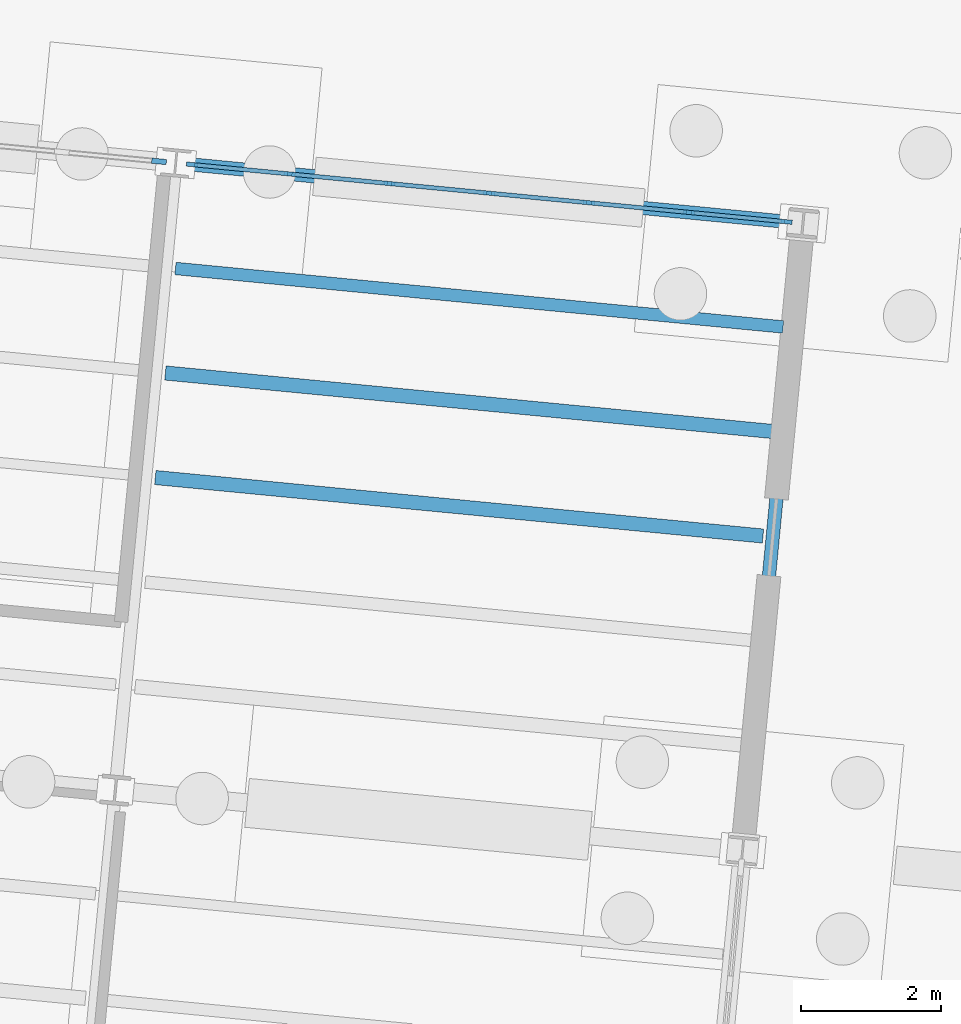
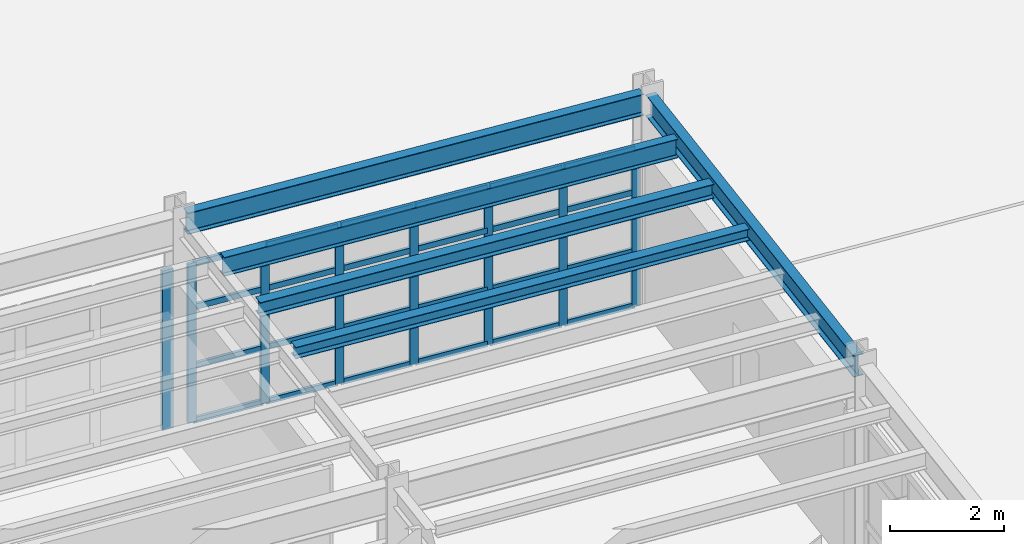
# One storey, part 51 of 108: 32 members, 5 beams, 2 elements without a shape of their own.
"""IFC4 building model written with IfcOpenShell, lengths in metres."""

from ifc_helpers import new_model, si_unit, direction, frame, origin, origin_2d, place, context, subcontext, project, spatial, rectangle, i_section, extrude, material, layer, layer_set, material_profile, profile_set, type_object, element, aggregate, save


model = new_model("IFC4")

# Units and contexts
model_context = context("Model", 3, precision=1e-05, world=origin(), true_north=direction((0.0, 1.0)))
body_context = subcontext(model_context, "Body", "Model", "MODEL_VIEW")
ifc_project = project(units=[si_unit("LENGTHUNIT", "METRE"), si_unit("AREAUNIT", "SQUARE_METRE"), si_unit("VOLUMEUNIT", "CUBIC_METRE"), si_unit("PLANEANGLEUNIT", "RADIAN"), si_unit("MASSUNIT", "GRAM", prefix="KILO")], contexts=[model_context])

# Site, building, storey
site_placement = place(None, origin())
site = spatial("IfcSite", under=ifc_project, at=site_placement, CompositionType="ELEMENT")
building_placement = place(site_placement, origin())
building = spatial("IfcBuilding", under=site, at=building_placement, Name="Vireo Bluff Cable Station", CompositionType="ELEMENT")
storey_placement = place(building_placement, origin())
storey = spatial("IfcBuildingStorey", under=building, at=storey_placement, Name="L00", CompositionType="ELEMENT", Elevation=0.0)

# Curtain wall, member
ifc_material_1 = material(Name="Anodized Aluminium 6063-T6", Category="aluminium")
ifc_layer_1 = layer(ifc_material_1, 0.179931640625, Name="Anodized Aluminium 6063-T6")
ifc_layer_set_1 = layer_set([ifc_layer_1], Name="Anodized Aluminium 6063-T6")
curtain_wall_type_1 = type_object("IfcCurtainWallType", Name="CW-UNIT-1400", PredefinedType="USERDEFINED", material=ifc_layer_set_1)
curtain_wall_1_placement = place(storey_placement, origin())
curtain_wall_1 = element("IfcCurtainWall", 1, at=curtain_wall_1_placement, inside=storey, type_object=curtain_wall_type_1, Name="V3 L00 north curtain wall CW-069", ObjectType="UNITISED CURTAIN WALL", PredefinedType="USERDEFINED")
ifc_material_profile_1 = material_profile(ifc_material_1, rectangle(XDim=0.074951171875, YDim=0.2099609375, at=origin_2d()), Name="ALU-M-75X210")
ifc_profile_set_1 = profile_set([ifc_material_profile_1], Name="Anodized Aluminium 6063-T6")
member_type_1 = type_object("IfcMemberType", Name="CWM-02", PredefinedType="MULLION", material=ifc_profile_set_1)
member_1_placement = place(storey_placement, frame((87.1416015625, 83.21875, 0.0), z_axis=(0.0, 0.0, 1.0), x_axis=(0.095845678199, 0.995396205524, 0.0)))
member_1 = element("IfcMember", 2, at=member_1_placement, type_object=member_type_1, Name="CW-069 mullion 7", PredefinedType="MULLION", context=body_context, shape_type="SweptSolid", body=[
    extrude(rectangle(XDim=0.074951171875, YDim=0.2099609375, at=origin_2d()), origin(), (0.0, 0.0, 1.0), 3.39990234375),
])
aggregate(curtain_wall_1, [member_1])

# Curtain wall, members
ifc_layer_2 = layer(ifc_material_1, 0.179931640625, Name="Anodized Aluminium 6063-T6")
ifc_layer_set_2 = layer_set([ifc_layer_2], Name="Anodized Aluminium 6063-T6")
curtain_wall_type_2 = type_object("IfcCurtainWallType", Name="CW-UNIT-1500", PredefinedType="USERDEFINED", material=ifc_layer_set_2)
curtain_wall_2_placement = place(storey_placement, origin())
curtain_wall_2 = element("IfcCurtainWall", 3, at=curtain_wall_2_placement, inside=storey, type_object=curtain_wall_type_2, Name="V3 L00 north curtain wall CW-070", ObjectType="UNITISED CURTAIN WALL", PredefinedType="USERDEFINED")
ifc_material_profile_2 = material_profile(ifc_material_1, rectangle(XDim=0.06005859375, YDim=0.159912109375, at=origin_2d()), Name="ALU-M-60X160")
ifc_profile_set_2 = profile_set([ifc_material_profile_2], Name="Anodized Aluminium 6063-T6")
member_type_2 = type_object("IfcMemberType", Name="CWM-03", PredefinedType="MULLION", material=ifc_profile_set_2)
member_2_placement = place(storey_placement, frame((87.61181640625, 83.173583984375, 0.0), z_axis=(0.0, 0.0, 1.0), x_axis=(0.095845678199, 0.995396205524, 0.0)))
member_2 = element("IfcMember", 4, at=member_2_placement, type_object=member_type_2, Name="CW-070 mullion 1", PredefinedType="MULLION", context=body_context, shape_type="SweptSolid", body=[
    extrude(rectangle(XDim=0.06005859375, YDim=0.159912109375, at=origin_2d()), origin(), (0.0, 0.0, 1.0), 3.39990234375),
])
member_3_placement = place(storey_placement, frame((89.007568359375, 83.0390625, 0.0), z_axis=(0.0, 0.0, 1.0), x_axis=(0.095845678199, 0.995396205524, 0.0)))
member_3 = element("IfcMember", 5, at=member_3_placement, type_object=member_type_2, Name="CW-070 mullion 2", PredefinedType="MULLION", context=body_context, shape_type="SweptSolid", body=[
    extrude(rectangle(XDim=0.06005859375, YDim=0.159912109375, at=origin_2d()), origin(), (0.0, 0.0, 1.0), 3.39990234375),
])
member_4_placement = place(storey_placement, frame((90.43310546875, 82.90185546875, 0.0), z_axis=(0.0, 0.0, 1.0), x_axis=(0.095845678199, 0.995396205524, 0.0)))
member_4 = element("IfcMember", 6, at=member_4_placement, type_object=member_type_2, Name="CW-070 mullion 3", PredefinedType="MULLION", context=body_context, shape_type="SweptSolid", body=[
    extrude(rectangle(XDim=0.06005859375, YDim=0.159912109375, at=origin_2d()), origin(), (0.0, 0.0, 1.0), 3.39990234375),
])
member_5_placement = place(storey_placement, frame((91.8583984375, 82.7646484375, 0.0), z_axis=(0.0, 0.0, 1.0), x_axis=(0.095845678199, 0.995396205524, 0.0)))
member_5 = element("IfcMember", 7, at=member_5_placement, type_object=member_type_2, Name="CW-070 mullion 4", PredefinedType="MULLION", context=body_context, shape_type="SweptSolid", body=[
    extrude(rectangle(XDim=0.06005859375, YDim=0.159912109375, at=origin_2d()), origin(), (0.0, 0.0, 1.0), 3.39990234375),
])
member_6_placement = place(storey_placement, frame((93.283935546875, 82.62744140625, 0.0), z_axis=(0.0, 0.0, 1.0), x_axis=(0.095845678199, 0.995396205524, 0.0)))
member_6 = element("IfcMember", 8, at=member_6_placement, type_object=member_type_2, Name="CW-070 mullion 5", PredefinedType="MULLION", context=body_context, shape_type="SweptSolid", body=[
    extrude(rectangle(XDim=0.06005859375, YDim=0.159912109375, at=origin_2d()), origin(), (0.0, 0.0, 1.0), 3.39990234375),
])
member_7_placement = place(storey_placement, frame((94.70947265625, 82.489990234375, 0.0), z_axis=(0.0, 0.0, 1.0), x_axis=(0.095845678199, 0.995396205524, 0.0)))
member_7 = element("IfcMember", 9, at=member_7_placement, type_object=member_type_2, Name="CW-070 mullion 6", PredefinedType="MULLION", context=body_context, shape_type="SweptSolid", body=[
    extrude(rectangle(XDim=0.06005859375, YDim=0.159912109375, at=origin_2d()), origin(), (0.0, 0.0, 1.0), 3.39990234375),
])
member_8_placement = place(storey_placement, frame((96.10498046875, 82.355712890625, 0.0), z_axis=(0.0, 0.0, 1.0), x_axis=(0.095845678199, 0.995396205524, 0.0)))
member_8 = element("IfcMember", 10, at=member_8_placement, type_object=member_type_2, Name="CW-070 mullion 7", PredefinedType="MULLION", context=body_context, shape_type="SweptSolid", body=[
    extrude(rectangle(XDim=0.06005859375, YDim=0.159912109375, at=origin_2d()), origin(), (0.0, 0.0, 1.0), 3.39990234375),
])
ifc_material_profile_3 = material_profile(ifc_material_1, rectangle(XDim=0.06005859375, YDim=0.1201171875, at=origin_2d()), Name="ALU-T-60X120")
ifc_profile_set_3 = profile_set([ifc_material_profile_3], Name="Anodized Aluminium 6063-T6")
member_type_3 = type_object("IfcMemberType", Name="CWT-03", PredefinedType="USERDEFINED", material=ifc_profile_set_3)
member_9_placement = place(storey_placement, frame((87.641845703125, 83.170654296875, 0.030029296875), z_axis=(0.995392680691, -0.095882277961, 0.0), x_axis=(0.095882277961, 0.995392680691, 0.0)))
member_9 = element("IfcMember", 11, at=member_9_placement, type_object=member_type_3, Name="CW-070 transom 1.1", ObjectType="TRANSOM", PredefinedType="USERDEFINED", context=body_context, shape_type="SweptSolid", body=[
    extrude(rectangle(XDim=0.06005859375, YDim=0.1201171875, at=origin_2d()), origin(), (0.0, 0.0, 1.0), 1.341796875),
])
member_10_placement = place(storey_placement, frame((87.641845703125, 83.170654296875, 1.18994140625), z_axis=(0.995392680691, -0.095882277961, 0.0), x_axis=(0.095882277961, 0.995392680691, 0.0)))
member_10 = element("IfcMember", 12, at=member_10_placement, type_object=member_type_3, Name="CW-070 transom 1.2", ObjectType="TRANSOM", PredefinedType="USERDEFINED", context=body_context, shape_type="SweptSolid", body=[
    extrude(rectangle(XDim=0.06005859375, YDim=0.1201171875, at=origin_2d()), origin(), (0.0, 0.0, 1.0), 1.341796875),
])
member_11_placement = place(storey_placement, frame((87.641845703125, 83.170654296875, 2.447998046875), z_axis=(0.995392680691, -0.095882277961, 0.0), x_axis=(0.095882277961, 0.995392680691, 0.0)))
member_11 = element("IfcMember", 13, at=member_11_placement, type_object=member_type_3, Name="CW-070 transom 1.3", ObjectType="TRANSOM", PredefinedType="USERDEFINED", context=body_context, shape_type="SweptSolid", body=[
    extrude(rectangle(XDim=0.06005859375, YDim=0.1201171875, at=origin_2d()), origin(), (0.0, 0.0, 1.0), 1.341796875),
])
member_12_placement = place(storey_placement, frame((87.641845703125, 83.170654296875, 3.3701171875), z_axis=(0.995392680691, -0.095882277961, 0.0), x_axis=(0.095882277961, 0.995392680691, 0.0)))
member_12 = element("IfcMember", 14, at=member_12_placement, type_object=member_type_3, Name="CW-070 transom 1.4", ObjectType="TRANSOM", PredefinedType="USERDEFINED", context=body_context, shape_type="SweptSolid", body=[
    extrude(rectangle(XDim=0.06005859375, YDim=0.1201171875, at=origin_2d()), origin(), (0.0, 0.0, 1.0), 1.341796875),
])
member_13_placement = place(storey_placement, frame((89.037353515625, 83.0361328125, 0.030029296875), z_axis=(0.99540707277, -0.095732750295, 0.0), x_axis=(0.095732750295, 0.99540707277, 0.0)))
member_13 = element("IfcMember", 15, at=member_13_placement, type_object=member_type_3, Name="CW-070 transom 2.1", ObjectType="TRANSOM", PredefinedType="USERDEFINED", context=body_context, shape_type="SweptSolid", body=[
    extrude(rectangle(XDim=0.06005859375, YDim=0.1201171875, at=origin_2d()), origin(), (0.0, 0.0, 1.0), 1.3720703125),
])
member_14_placement = place(storey_placement, frame((89.037353515625, 83.0361328125, 1.18994140625), z_axis=(0.99540707277, -0.095732750295, 0.0), x_axis=(0.095732750295, 0.99540707277, 0.0)))
member_14 = element("IfcMember", 16, at=member_14_placement, type_object=member_type_3, Name="CW-070 transom 2.2", ObjectType="TRANSOM", PredefinedType="USERDEFINED", context=body_context, shape_type="SweptSolid", body=[
    extrude(rectangle(XDim=0.06005859375, YDim=0.1201171875, at=origin_2d()), origin(), (0.0, 0.0, 1.0), 1.3720703125),
])
member_15_placement = place(storey_placement, frame((89.037353515625, 83.0361328125, 2.447998046875), z_axis=(0.99540707277, -0.095732750295, 0.0), x_axis=(0.095732750295, 0.99540707277, 0.0)))
member_15 = element("IfcMember", 17, at=member_15_placement, type_object=member_type_3, Name="CW-070 transom 2.3", ObjectType="TRANSOM", PredefinedType="USERDEFINED", context=body_context, shape_type="SweptSolid", body=[
    extrude(rectangle(XDim=0.06005859375, YDim=0.1201171875, at=origin_2d()), origin(), (0.0, 0.0, 1.0), 1.3720703125),
])
member_16_placement = place(storey_placement, frame((89.037353515625, 83.0361328125, 3.3701171875), z_axis=(0.99540707277, -0.095732750295, 0.0), x_axis=(0.095732750295, 0.99540707277, 0.0)))
member_16 = element("IfcMember", 18, at=member_16_placement, type_object=member_type_3, Name="CW-070 transom 2.4", ObjectType="TRANSOM", PredefinedType="USERDEFINED", context=body_context, shape_type="SweptSolid", body=[
    extrude(rectangle(XDim=0.06005859375, YDim=0.1201171875, at=origin_2d()), origin(), (0.0, 0.0, 1.0), 1.3720703125),
])
member_17_placement = place(storey_placement, frame((90.462890625, 82.89892578125, 0.030029296875), z_axis=(0.99540707277, -0.095732750295, 0.0), x_axis=(0.095732750295, 0.99540707277, 0.0)))
member_17 = element("IfcMember", 19, at=member_17_placement, type_object=member_type_3, Name="CW-070 transom 3.1", ObjectType="TRANSOM", PredefinedType="USERDEFINED", context=body_context, shape_type="SweptSolid", body=[
    extrude(rectangle(XDim=0.06005859375, YDim=0.1201171875, at=origin_2d()), origin(), (0.0, 0.0, 1.0), 1.3720703125),
])
member_18_placement = place(storey_placement, frame((90.462890625, 82.89892578125, 1.18994140625), z_axis=(0.99540707277, -0.095732750295, 0.0), x_axis=(0.095732750295, 0.99540707277, 0.0)))
member_18 = element("IfcMember", 20, at=member_18_placement, type_object=member_type_3, Name="CW-070 transom 3.2", ObjectType="TRANSOM", PredefinedType="USERDEFINED", context=body_context, shape_type="SweptSolid", body=[
    extrude(rectangle(XDim=0.06005859375, YDim=0.1201171875, at=origin_2d()), origin(), (0.0, 0.0, 1.0), 1.3720703125),
])
member_19_placement = place(storey_placement, frame((90.462890625, 82.89892578125, 2.447998046875), z_axis=(0.99540707277, -0.095732750295, 0.0), x_axis=(0.095732750295, 0.99540707277, 0.0)))
member_19 = element("IfcMember", 21, at=member_19_placement, type_object=member_type_3, Name="CW-070 transom 3.3", ObjectType="TRANSOM", PredefinedType="USERDEFINED", context=body_context, shape_type="SweptSolid", body=[
    extrude(rectangle(XDim=0.06005859375, YDim=0.1201171875, at=origin_2d()), origin(), (0.0, 0.0, 1.0), 1.3720703125),
])
member_20_placement = place(storey_placement, frame((90.462890625, 82.89892578125, 3.3701171875), z_axis=(0.99540707277, -0.095732750295, 0.0), x_axis=(0.095732750295, 0.99540707277, 0.0)))
member_20 = element("IfcMember", 22, at=member_20_placement, type_object=member_type_3, Name="CW-070 transom 3.4", ObjectType="TRANSOM", PredefinedType="USERDEFINED", context=body_context, shape_type="SweptSolid", body=[
    extrude(rectangle(XDim=0.06005859375, YDim=0.1201171875, at=origin_2d()), origin(), (0.0, 0.0, 1.0), 1.3720703125),
])
member_21_placement = place(storey_placement, frame((91.888427734375, 82.76171875, 0.030029296875), z_axis=(0.995390100816, -0.095909056907, 0.0), x_axis=(0.095909056907, 0.995390100816, 0.0)))
member_21 = element("IfcMember", 23, at=member_21_placement, type_object=member_type_3, Name="CW-070 transom 4.1", ObjectType="TRANSOM", PredefinedType="USERDEFINED", context=body_context, shape_type="SweptSolid", body=[
    extrude(rectangle(XDim=0.06005859375, YDim=0.1201171875, at=origin_2d()), origin(), (0.0, 0.0, 1.0), 1.3720703125),
])
member_22_placement = place(storey_placement, frame((91.888427734375, 82.76171875, 1.18994140625), z_axis=(0.995390100816, -0.095909056907, 0.0), x_axis=(0.095909056907, 0.995390100816, 0.0)))
member_22 = element("IfcMember", 24, at=member_22_placement, type_object=member_type_3, Name="CW-070 transom 4.2", ObjectType="TRANSOM", PredefinedType="USERDEFINED", context=body_context, shape_type="SweptSolid", body=[
    extrude(rectangle(XDim=0.06005859375, YDim=0.1201171875, at=origin_2d()), origin(), (0.0, 0.0, 1.0), 1.3720703125),
])
member_23_placement = place(storey_placement, frame((91.888427734375, 82.76171875, 2.447998046875), z_axis=(0.995390100816, -0.095909056907, 0.0), x_axis=(0.095909056907, 0.995390100816, 0.0)))
member_23 = element("IfcMember", 25, at=member_23_placement, type_object=member_type_3, Name="CW-070 transom 4.3", ObjectType="TRANSOM", PredefinedType="USERDEFINED", context=body_context, shape_type="SweptSolid", body=[
    extrude(rectangle(XDim=0.06005859375, YDim=0.1201171875, at=origin_2d()), origin(), (0.0, 0.0, 1.0), 1.3720703125),
])
member_24_placement = place(storey_placement, frame((91.888427734375, 82.76171875, 3.3701171875), z_axis=(0.995390100816, -0.095909056907, 0.0), x_axis=(0.095909056907, 0.995390100816, 0.0)))
member_24 = element("IfcMember", 26, at=member_24_placement, type_object=member_type_3, Name="CW-070 transom 4.4", ObjectType="TRANSOM", PredefinedType="USERDEFINED", context=body_context, shape_type="SweptSolid", body=[
    extrude(rectangle(XDim=0.06005859375, YDim=0.1201171875, at=origin_2d()), origin(), (0.0, 0.0, 1.0), 1.3720703125),
])
member_25_placement = place(storey_placement, frame((93.313720703125, 82.62451171875, 0.030029296875), z_axis=(0.995391737161, -0.095892072624, 0.0), x_axis=(0.095892072624, 0.995391737161, 0.0)))
member_25 = element("IfcMember", 27, at=member_25_placement, type_object=member_type_3, Name="CW-070 transom 5.1", ObjectType="TRANSOM", PredefinedType="USERDEFINED", context=body_context, shape_type="SweptSolid", body=[
    extrude(rectangle(XDim=0.06005859375, YDim=0.1201171875, at=origin_2d()), origin(), (0.0, 0.0, 1.0), 1.372314453125),
])
member_26_placement = place(storey_placement, frame((93.313720703125, 82.62451171875, 1.18994140625), z_axis=(0.995391737161, -0.095892072624, 0.0), x_axis=(0.095892072624, 0.995391737161, 0.0)))
member_26 = element("IfcMember", 28, at=member_26_placement, type_object=member_type_3, Name="CW-070 transom 5.2", ObjectType="TRANSOM", PredefinedType="USERDEFINED", context=body_context, shape_type="SweptSolid", body=[
    extrude(rectangle(XDim=0.06005859375, YDim=0.1201171875, at=origin_2d()), origin(), (0.0, 0.0, 1.0), 1.372314453125),
])
member_27_placement = place(storey_placement, frame((93.313720703125, 82.62451171875, 2.447998046875), z_axis=(0.995391737161, -0.095892072624, 0.0), x_axis=(0.095892072624, 0.995391737161, 0.0)))
member_27 = element("IfcMember", 29, at=member_27_placement, type_object=member_type_3, Name="CW-070 transom 5.3", ObjectType="TRANSOM", PredefinedType="USERDEFINED", context=body_context, shape_type="SweptSolid", body=[
    extrude(rectangle(XDim=0.06005859375, YDim=0.1201171875, at=origin_2d()), origin(), (0.0, 0.0, 1.0), 1.372314453125),
])
member_28_placement = place(storey_placement, frame((93.313720703125, 82.62451171875, 3.3701171875), z_axis=(0.995391737161, -0.095892072624, 0.0), x_axis=(0.095892072624, 0.995391737161, 0.0)))
member_28 = element("IfcMember", 30, at=member_28_placement, type_object=member_type_3, Name="CW-070 transom 5.4", ObjectType="TRANSOM", PredefinedType="USERDEFINED", context=body_context, shape_type="SweptSolid", body=[
    extrude(rectangle(XDim=0.06005859375, YDim=0.1201171875, at=origin_2d()), origin(), (0.0, 0.0, 1.0), 1.372314453125),
])
member_29_placement = place(storey_placement, frame((94.7392578125, 82.4873046875, 0.030029296875), z_axis=(0.995394352884, -0.095864916661, 0.0), x_axis=(0.095864916661, 0.995394352884, 0.0)))
member_29 = element("IfcMember", 31, at=member_29_placement, type_object=member_type_3, Name="CW-070 transom 6.1", ObjectType="TRANSOM", PredefinedType="USERDEFINED", context=body_context, shape_type="SweptSolid", body=[
    extrude(rectangle(XDim=0.06005859375, YDim=0.1201171875, at=origin_2d()), origin(), (0.0, 0.0, 1.0), 1.342041015625),
])
member_30_placement = place(storey_placement, frame((94.7392578125, 82.4873046875, 1.18994140625), z_axis=(0.995394352884, -0.095864916661, 0.0), x_axis=(0.095864916661, 0.995394352884, 0.0)))
member_30 = element("IfcMember", 32, at=member_30_placement, type_object=member_type_3, Name="CW-070 transom 6.2", ObjectType="TRANSOM", PredefinedType="USERDEFINED", context=body_context, shape_type="SweptSolid", body=[
    extrude(rectangle(XDim=0.06005859375, YDim=0.1201171875, at=origin_2d()), origin(), (0.0, 0.0, 1.0), 1.342041015625),
])
member_31_placement = place(storey_placement, frame((94.7392578125, 82.4873046875, 2.447998046875), z_axis=(0.995394352884, -0.095864916661, 0.0), x_axis=(0.095864916661, 0.995394352884, 0.0)))
member_31 = element("IfcMember", 33, at=member_31_placement, type_object=member_type_3, Name="CW-070 transom 6.3", ObjectType="TRANSOM", PredefinedType="USERDEFINED", context=body_context, shape_type="SweptSolid", body=[
    extrude(rectangle(XDim=0.06005859375, YDim=0.1201171875, at=origin_2d()), origin(), (0.0, 0.0, 1.0), 1.342041015625),
])
member_32_placement = place(storey_placement, frame((94.7392578125, 82.4873046875, 3.3701171875), z_axis=(0.995394352884, -0.095864916661, 0.0), x_axis=(0.095864916661, 0.995394352884, 0.0)))
member_32 = element("IfcMember", 34, at=member_32_placement, type_object=member_type_3, Name="CW-070 transom 6.4", ObjectType="TRANSOM", PredefinedType="USERDEFINED", context=body_context, shape_type="SweptSolid", body=[
    extrude(rectangle(XDim=0.06005859375, YDim=0.1201171875, at=origin_2d()), origin(), (0.0, 0.0, 1.0), 1.342041015625),
])
aggregate(curtain_wall_2, [member_2, member_3, member_4, member_5, member_6, member_7, member_8, member_9, member_10, member_11, member_12, member_13, member_14, member_15, member_16, member_17, member_18, member_19, member_20, member_21, member_22, member_23, member_24, member_25, member_26, member_27, member_28, member_29, member_30, member_31, member_32])

# Beams
ifc_material_2 = material(Name="Steel ASTM A992 Gr. 50", Category="steel")
ifc_material_profile_4 = material_profile(ifc_material_2, i_section(OverallWidth=0.201904296875, OverallDepth=0.2470703125, WebThickness=0.00732421875, FlangeThickness=0.010986328125, FilletRadius=0.009033203125, at=origin_2d()), Name="W10X33")
ifc_profile_set_4 = profile_set([ifc_material_profile_4], Name="Steel ASTM A992 Gr. 50")
beam_type_1 = type_object("IfcBeamType", Name="JST-W10X33", PredefinedType="JOIST", material=ifc_profile_set_4)
beam_1_placement = place(storey_placement, frame((87.08837890625, 78.703125, 4.41650390625), z_axis=(0.995397172011, -0.095835640306, 0.0), x_axis=(0.095835640306, 0.995397172011, 0.0)))
element("IfcBeam", 35, at=beam_1_placement, inside=storey, type_object=beam_type_1, Name="V3 L00 composite joist 640", PredefinedType="JOIST", context=body_context, shape_type="SweptSolid", body=[
    extrude(i_section(OverallWidth=0.201904296875, OverallDepth=0.2470703125, WebThickness=0.00732421875, FlangeThickness=0.010986328125, FilletRadius=0.009033203125, at=origin_2d()), origin(), (0.0, 0.0, 1.0), 8.719970703125),
])
ifc_material_profile_5 = material_profile(ifc_material_2, i_section(OverallWidth=0.202880859375, OverallDepth=0.302978515625, WebThickness=0.007568359375, FlangeThickness=0.01318359375, FilletRadius=0.010009765625, at=origin_2d()), Name="W12X40")
ifc_profile_set_5 = profile_set([ifc_material_profile_5], Name="Steel ASTM A992 Gr. 50")
beam_type_2 = type_object("IfcBeamType", Name="JST-W12X40", PredefinedType="JOIST", material=ifc_profile_set_5)
beam_2_placement = place(storey_placement, frame((87.232177734375, 80.1962890625, 4.388427734375), z_axis=(0.995394500818, -0.095863380609, 0.0), x_axis=(0.095863380609, 0.995394500818, 0.0)))
element("IfcBeam", 36, at=beam_2_placement, inside=storey, type_object=beam_type_2, Name="V3 L00 composite joist 641", PredefinedType="JOIST", context=body_context, shape_type="SweptSolid", body=[
    extrude(i_section(OverallWidth=0.202880859375, OverallDepth=0.302978515625, WebThickness=0.007568359375, FlangeThickness=0.01318359375, FilletRadius=0.010009765625, at=origin_2d()), origin(), (0.0, 0.0, 1.0), 8.719970703125),
])
ifc_material_profile_6 = material_profile(ifc_material_2, i_section(OverallWidth=0.177978515625, OverallDepth=0.404052734375, WebThickness=0.007568359375, FlangeThickness=0.010986328125, FilletRadius=0.010009765625, at=origin_2d()), Name="W16X36")
ifc_profile_set_6 = profile_set([ifc_material_profile_6], Name="Steel ASTM A992 Gr. 50")
beam_type_3 = type_object("IfcBeamType", Name="JST-W16X36", PredefinedType="JOIST", material=ifc_profile_set_6)
beam_3_placement = place(storey_placement, frame((87.3759765625, 81.689208984375, 4.337890625), z_axis=(0.995397172011, -0.095835640306, 0.0), x_axis=(0.095835640306, 0.995397172011, 0.0)))
element("IfcBeam", 37, at=beam_3_placement, inside=storey, type_object=beam_type_3, Name="V3 L00 composite joist 642", PredefinedType="JOIST", context=body_context, shape_type="SweptSolid", body=[
    extrude(i_section(OverallWidth=0.177978515625, OverallDepth=0.404052734375, WebThickness=0.007568359375, FlangeThickness=0.010986328125, FilletRadius=0.010009765625, at=origin_2d()), origin(), (0.0, 0.0, 1.0), 8.719970703125),
])
ifc_material_profile_7 = material_profile(ifc_material_2, i_section(OverallWidth=0.19091796875, OverallDepth=0.45703125, WebThickness=0.009033203125, FlangeThickness=0.014404296875, FilletRadius=0.011962890625, at=origin_2d()), Name="W18X50")
ifc_profile_set_7 = profile_set([ifc_material_profile_7], Name="Steel ASTM A992 Gr. 50")
beam_type_4 = type_object("IfcBeamType", Name="SPN-W18X50", PredefinedType="SPANDREL", material=ifc_profile_set_7)
for number, where, z_axis, x_axis, name in (
    (38, (87.5, 83.184326171875, 4.3115234375), (0.995396100932, -0.095846764416, 0.0), (0.095846764416, 0.995396100932, 0.0), "V3 L00 spandrel 612"),
    (39, (95.48779296875, 73.494140625, 4.3115234375), (0.095846764416, 0.995396100932, 0.0), (-0.995396100932, 0.095846764416, 0.0), "V3 L00 spandrel 620"),
):
    element("IfcBeam", number, at=place(storey_placement, frame(where, z_axis=z_axis, x_axis=x_axis)), inside=storey, type_object=beam_type_4, Name=name, PredefinedType="SPANDREL", context=body_context, shape_type="SweptSolid", body=[
        extrude(i_section(OverallWidth=0.19091796875, OverallDepth=0.45703125, WebThickness=0.009033203125, FlangeThickness=0.014404296875, FilletRadius=0.011962890625, at=origin_2d()), origin(), (0.0, 0.0, 1.0), 8.759765625),
    ])

save(model, "model.ifc")
